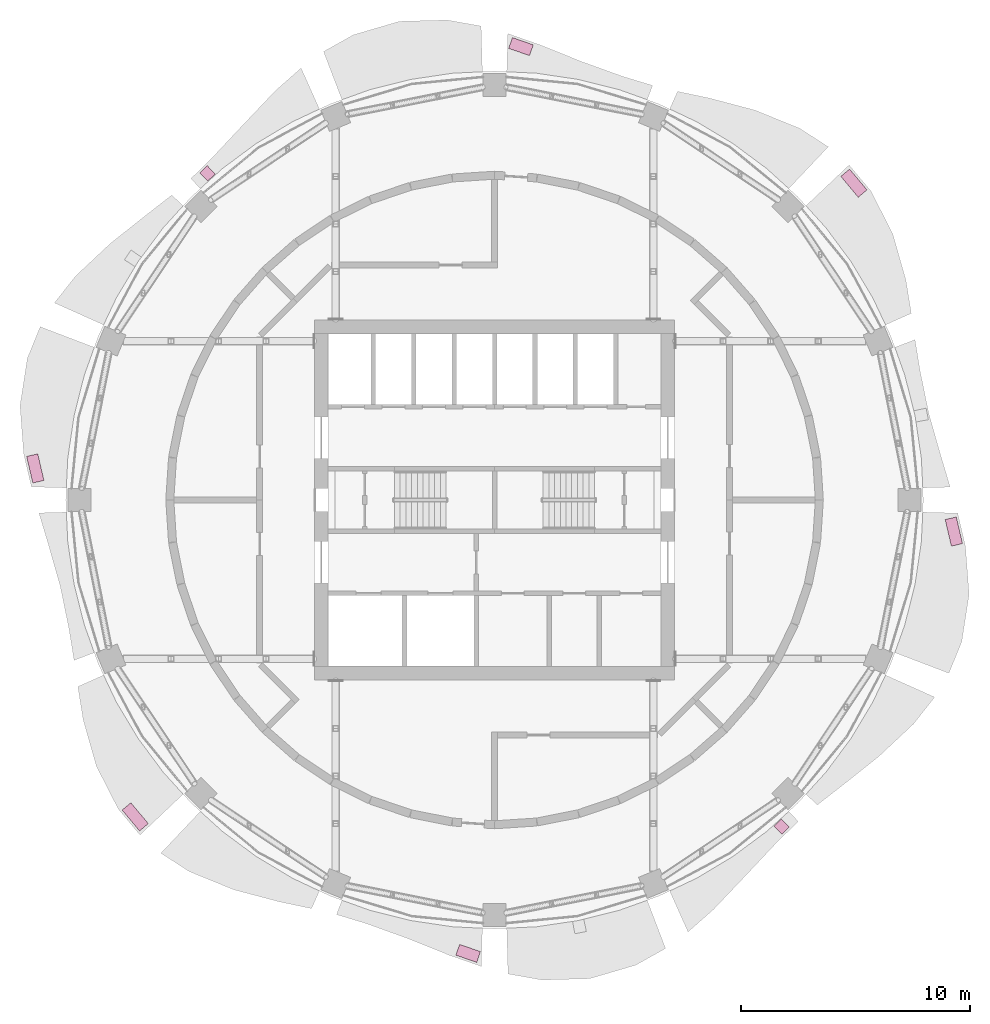
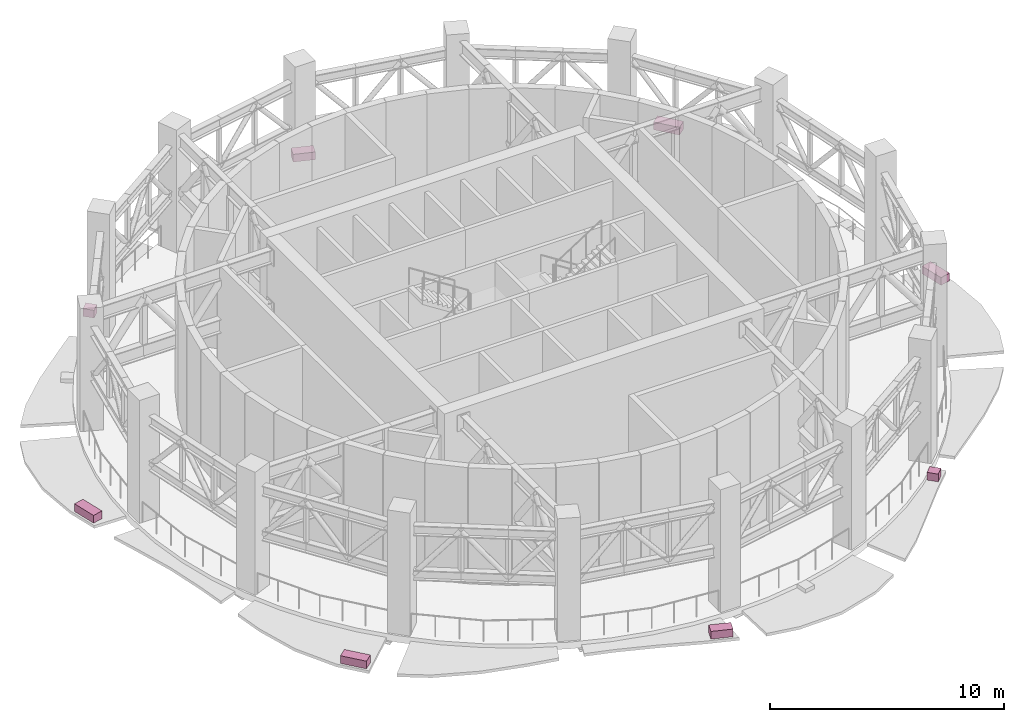
# One storey, part 14 of 14: 8 furniture elements.
"""IFC4 building model written with IfcOpenShell, lengths in metres."""

from ifc_helpers import new_model, si_unit, direction, frame, origin, origin_2d, place, context, subcontext, project, spatial, rectangle, extrude, material, type_object, element, save


model = new_model("IFC4")

# Units and contexts
model_context = context("Model", 3, precision=1e-05, world=origin(), true_north=direction((0.0, 1.0)))
body_context = subcontext(model_context, "Body", "Model", "MODEL_VIEW")
ifc_project = project(units=[si_unit("LENGTHUNIT", "METRE"), si_unit("AREAUNIT", "SQUARE_METRE"), si_unit("VOLUMEUNIT", "CUBIC_METRE"), si_unit("PLANEANGLEUNIT", "RADIAN"), si_unit("MASSUNIT", "GRAM", prefix="KILO")], contexts=[model_context])

# Site, building, storey
site_placement = place(None, origin())
site = spatial("IfcSite", under=ifc_project, at=site_placement, CompositionType="ELEMENT")
building_placement = place(site_placement, origin())
building = spatial("IfcBuilding", under=site, at=building_placement, Name="Polderwave Tower", CompositionType="ELEMENT")
storey_placement = place(building_placement, frame((0.0, 0.0, 161.14990234375)))
storey = spatial("IfcBuildingStorey", under=building, at=storey_placement, Name="L43", CompositionType="ELEMENT", Elevation=161.14990234375)

# Furniture
ifc_material = material(Name="Terracotta", Category="masonry")
furniture_type = type_object("IfcFurnitureType", Name="Terracotta planting trough", AssemblyPlace="NOTDEFINED", PredefinedType="USERDEFINED", material=ifc_material)
furniture_1_placement = place(storey_placement, frame((15.711669921875, 13.85302734375, -0.199951171875), z_axis=(0.0, 0.0, 1.0), x_axis=(-0.641303673782, 0.76728716788, 0.0)))
element("IfcFurniture", 1, at=furniture_1_placement, inside=storey, type_object=furniture_type, Name="Planting trough L43 2", ObjectType="PLANTER", PredefinedType="USERDEFINED", context=body_context, shape_type="SweptSolid", body=[
    extrude(rectangle(XDim=1.188720703125, YDim=0.5, at=origin_2d()), origin(), (0.0, 0.0, 1.0), 0.39990234375),
])
furniture_2_placement = place(storey_placement, frame((1.154296875, 19.823486328125, -0.199951171875), z_axis=(0.0, 0.0, 1.0), x_axis=(-0.944388423195, 0.328832033316, 0.0)))
element("IfcFurniture", 2, at=furniture_2_placement, inside=storey, type_object=furniture_type, Name="Planting trough L43 4", ObjectType="PLANTER", PredefinedType="USERDEFINED", context=body_context, shape_type="SweptSolid", body=[
    extrude(rectangle(XDim=0.965087890625, YDim=0.5, at=origin_2d()), origin(), (0.0, 0.0, 1.0), 0.39990234375),
])
furniture_3_placement = place(storey_placement, frame((-12.55029296875, 14.279052734375, -0.199951171875), z_axis=(0.0, 0.0, 1.0), x_axis=(-0.712284575727, -0.701890791493, 0.0)))
element("IfcFurniture", 3, at=furniture_3_placement, inside=storey, type_object=furniture_type, Name="Planting trough L43 6", ObjectType="PLANTER", PredefinedType="USERDEFINED", context=body_context, shape_type="SweptSolid", body=[
    extrude(rectangle(XDim=0.455078125, YDim=0.5, at=origin_2d()), origin(), (0.0, 0.0, 1.0), 0.39990234375),
])
furniture_4_placement = place(storey_placement, frame((-20.08056640625, 1.38037109375, -0.199951171875), z_axis=(0.0, 0.0, 1.0), x_axis=(0.227108557893, -0.973869448608, 0.0)))
element("IfcFurniture", 4, at=furniture_4_placement, inside=storey, type_object=furniture_type, Name="Planting trough L43 8", ObjectType="PLANTER", PredefinedType="USERDEFINED", context=body_context, shape_type="SweptSolid", body=[
    extrude(rectangle(XDim=1.193359375, YDim=0.5, at=origin_2d()), origin(), (0.0, 0.0, 1.0), 0.39990234375),
])
furniture_5_placement = place(storey_placement, frame((-15.711669921875, -13.85302734375, -0.199951171875), z_axis=(0.0, 0.0, 1.0), x_axis=(0.641303673782, -0.76728716788, 0.0)))
element("IfcFurniture", 5, at=furniture_5_placement, inside=storey, type_object=furniture_type, Name="Planting trough L43 10", ObjectType="PLANTER", PredefinedType="USERDEFINED", context=body_context, shape_type="SweptSolid", body=[
    extrude(rectangle(XDim=1.188720703125, YDim=0.5, at=origin_2d()), origin(), (0.0, 0.0, 1.0), 0.39990234375),
])
furniture_6_placement = place(storey_placement, frame((-1.154296875, -19.823486328125, -0.199951171875), z_axis=(0.0, 0.0, 1.0), x_axis=(0.944388423195, -0.328832033316, 0.0)))
element("IfcFurniture", 6, at=furniture_6_placement, inside=storey, type_object=furniture_type, Name="Planting trough L43 12", ObjectType="PLANTER", PredefinedType="USERDEFINED", context=body_context, shape_type="SweptSolid", body=[
    extrude(rectangle(XDim=0.965087890625, YDim=0.5, at=origin_2d()), origin(), (0.0, 0.0, 1.0), 0.39990234375),
])
furniture_7_placement = place(storey_placement, frame((12.55029296875, -14.279052734375, -0.199951171875), z_axis=(0.0, 0.0, 1.0), x_axis=(0.712284575727, 0.701890791493, 0.0)))
element("IfcFurniture", 7, at=furniture_7_placement, inside=storey, type_object=furniture_type, Name="Planting trough L43 14", ObjectType="PLANTER", PredefinedType="USERDEFINED", context=body_context, shape_type="SweptSolid", body=[
    extrude(rectangle(XDim=0.455078125, YDim=0.5, at=origin_2d()), origin(), (0.0, 0.0, 1.0), 0.39990234375),
])
furniture_8_placement = place(storey_placement, frame((20.08056640625, -1.38037109375, -0.199951171875), z_axis=(0.0, 0.0, 1.0), x_axis=(-0.227108557893, 0.973869448608, 0.0)))
element("IfcFurniture", 8, at=furniture_8_placement, inside=storey, type_object=furniture_type, Name="Planting trough L43 16", ObjectType="PLANTER", PredefinedType="USERDEFINED", context=body_context, shape_type="SweptSolid", body=[
    extrude(rectangle(XDim=1.193359375, YDim=0.5, at=origin_2d()), origin(), (0.0, 0.0, 1.0), 0.39990234375),
])

save(model, "model.ifc")
